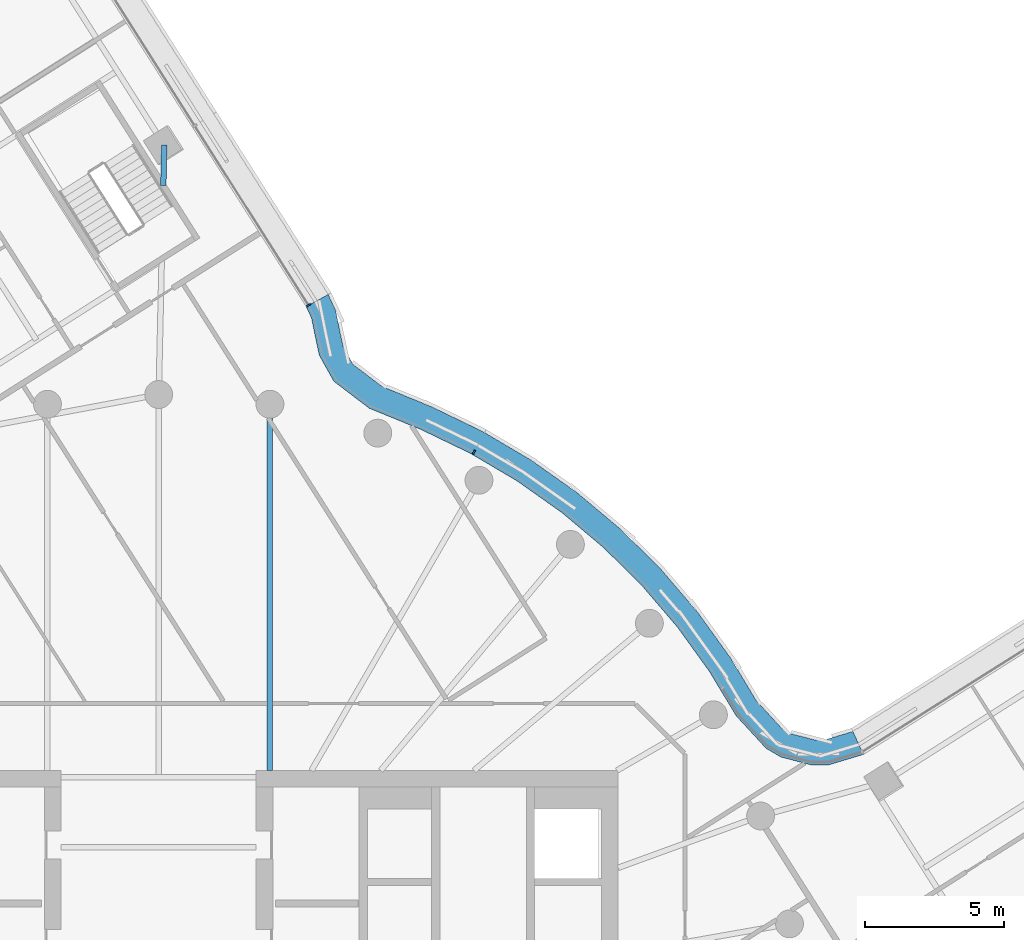
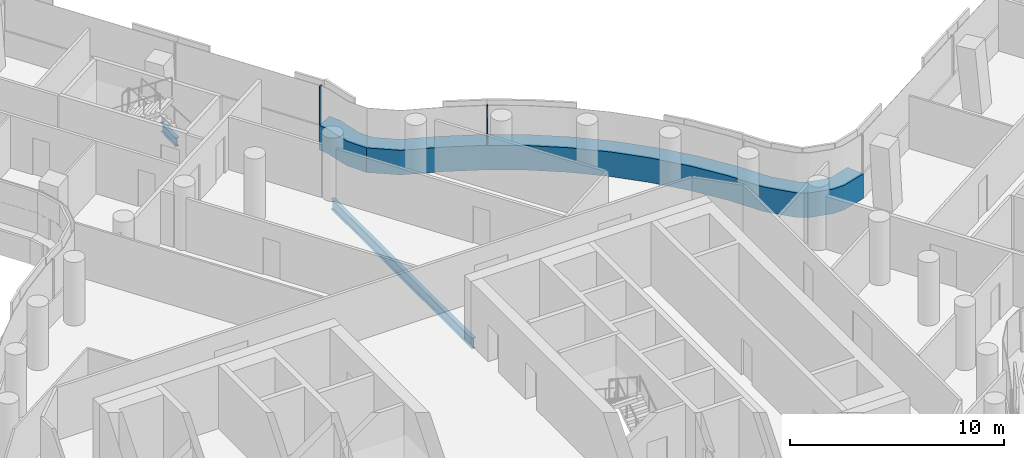
# One storey, part 16 of 36: 3 members, 2 beams, 2 elements without a shape of their own.
"""IFC4 building model written with IfcOpenShell, lengths in metres."""

from ifc_helpers import new_model, si_unit, direction, frame, origin, origin_2d, place, context, subcontext, project, spatial, polyline, rectangle, i_section, outline, extrude, material, layer, layer_set, material_profile, profile_set, type_object, element, aggregate, save


model = new_model("IFC4")

# Units and contexts
model_context = context("Model", 3, precision=1e-05, world=origin(), true_north=direction((0.0, 1.0)))
body_context = subcontext(model_context, "Body", "Model", "MODEL_VIEW")
ifc_project = project(units=[si_unit("LENGTHUNIT", "METRE"), si_unit("AREAUNIT", "SQUARE_METRE"), si_unit("VOLUMEUNIT", "CUBIC_METRE"), si_unit("PLANEANGLEUNIT", "RADIAN"), si_unit("MASSUNIT", "GRAM", prefix="KILO")], contexts=[model_context])

# Site, building, storey
site_placement = place(None, origin())
site = spatial("IfcSite", under=ifc_project, at=site_placement, CompositionType="ELEMENT")
building_placement = place(site_placement, origin())
building = spatial("IfcBuilding", under=site, at=building_placement, Name="Tamarind Cross Interchange Tower", CompositionType="ELEMENT")
storey_placement = place(building_placement, frame((0.0, 0.0, 151.75)))
storey = spatial("IfcBuildingStorey", under=building, at=storey_placement, Name="L37", CompositionType="ELEMENT", Elevation=151.75)

# Beams
ifc_material_1 = material(Name="Steel Q355B", Category="steel")
ifc_material_profile_1 = material_profile(ifc_material_1, i_section(OverallWidth=0.198974609375, OverallDepth=0.49609375, WebThickness=0.009033203125, FlangeThickness=0.013916015625, FilletRadius=0.012939453125, at=origin_2d()), Name="HN 496x199x9x14")
ifc_profile_set_1 = profile_set([ifc_material_profile_1], Name="Steel Q355B")
beam_type_1 = type_object("IfcBeamType", Name="Composite beam HN 496x199x9x14 Q355B", PredefinedType="BEAM", material=ifc_profile_set_1)
beam_1_placement = place(storey_placement, frame((0.198486328125, 31.954833984375, -0.387939453125), z_axis=(-0.022160377353, -0.999754428685, 0.0), x_axis=(0.999754428685, -0.022160377353, 0.0)))
element("IfcBeam", 1, at=beam_1_placement, inside=storey, type_object=beam_type_1, Name="Beam N-linkemt0", PredefinedType="BEAM", context=body_context, shape_type="SweptSolid", body=[
    extrude(i_section(OverallWidth=0.198974609375, OverallDepth=0.49609375, WebThickness=0.009033203125, FlangeThickness=0.013916015625, FilletRadius=0.012939453125, at=origin_2d()), origin(), (0.0, 0.0, 1.0), 1.443115234375),
])
ifc_material_profile_2 = material_profile(ifc_material_1, i_section(OverallWidth=0.198974609375, OverallDepth=0.595947265625, WebThickness=0.010009765625, FlangeThickness=0.014892578125, FilletRadius=0.012939453125, at=origin_2d()), Name="HN 596x199x10x15")
ifc_profile_set_2 = profile_set([ifc_material_profile_2], Name="Steel Q355B")
beam_type_2 = type_object("IfcBeamType", Name="Composite beam HN 596x199x10x15 Q355B", PredefinedType="BEAM", material=ifc_profile_set_2)
beam_2_placement = place(storey_placement, frame((3.993896484375, 22.650634765625, -0.43798828125), z_axis=(0.0, -1.0, 0.0), x_axis=(1.0, 0.0, 0.0)))
element("IfcBeam", 2, at=beam_2_placement, inside=storey, type_object=beam_type_2, Name="Beam HH08", PredefinedType="BEAM", context=body_context, shape_type="SweptSolid", body=[
    extrude(i_section(OverallWidth=0.198974609375, OverallDepth=0.595947265625, WebThickness=0.010009765625, FlangeThickness=0.014892578125, FilletRadius=0.012939453125, at=origin_2d()), origin(), (0.0, 0.0, 1.0), 13.150634765625),
])

# Curtain wall, members
ifc_material_2 = material(Name="Aluminium 6063-T6", Category="aluminium")
ifc_layer = layer(ifc_material_2, 0.159912109375)
ifc_layer_set = layer_set([ifc_layer], Name="Aluminium 6063-T6")
curtain_wall_type = type_object("IfcCurtainWallType", Name="Office curtain wall, 9.0 m bays", PredefinedType="NOTDEFINED", material=ifc_layer_set)
curtain_wall_1_placement = place(storey_placement, origin())
curtain_wall_1 = element("IfcCurtainWall", 3, at=curtain_wall_1_placement, inside=storey, type_object=curtain_wall_type, Name="CWS-L37-14", PredefinedType="NOTDEFINED")
ifc_material_3 = material(Name="Aluminium and insulated spandrel panel", Category="aluminium")
member_type_1 = type_object("IfcMemberType", Name="Floor-edge blade transom", PredefinedType="USERDEFINED", material=ifc_material_3)
member_1_placement = place(storey_placement, origin())
member_1 = element("IfcMember", 4, at=member_1_placement, type_object=member_type_1, Name="CWT-L37-14", ObjectType="TRANSOM", PredefinedType="USERDEFINED", context=body_context, shape_type="SweptSolid", body=[
    extrude(outline(polyline([(25.30517578125, 10.07470703125), (24.06982421875, 9.70361328125), (23.457763671875, 9.692138671875), (22.3427734375, 9.982421875), (21.810302734375, 10.29296875), (20.731201171875, 11.46826171875), (19.78125, 13.04541015625), (18.636474609375, 14.634521484375), (17.3642578125, 16.12353515625), (15.973388671875, 17.50244140625), (14.4736328125, 18.76171875), (12.874755859375, 19.892822265625), (11.188232421875, 20.88818359375), (9.422119140625, 21.741943359375), (7.56005859375, 22.506103515625), (6.28857421875, 23.4736328125), (5.769287109375, 24.40234375), (5.631103515625, 25.041259765625), (5.490966796875, 25.73779296875), (5.294677734375, 26.161376953125), (6.086181640625, 26.59375), (6.352294921875, 26.019775390625), (6.51220703125, 25.22509765625), (6.62060546875, 24.72412109375), (6.982666015625, 24.076416015625), (8.010986328125, 23.293701171875), (9.7890625, 22.564208984375), (11.613525390625, 21.68212890625), (13.3642578125, 20.64892578125), (15.023681640625, 19.474853515625), (16.580810546875, 18.167724609375), (18.0244140625, 16.736572265625), (19.344970703125, 15.19091796875), (20.533203125, 13.54150390625), (21.455322265625, 12.01025390625), (22.38134765625, 11.001708984375), (22.689208984375, 10.822265625), (23.564697265625, 10.59423828125), (23.92919921875, 10.60107421875), (24.928466796875, 10.9013671875), (25.30517578125, 10.07470703125)])), origin(), (0.0, 0.0, 1.0), 1.39990234375),
])
ifc_material_profile_3 = material_profile(ifc_material_2, rectangle(XDim=0.06005859375, YDim=0.159912109375, at=origin_2d()), Name="Mullion CW1")
ifc_profile_set_3 = profile_set([ifc_material_profile_3], Name="Aluminium 6063-T6")
member_type_2 = type_object("IfcMemberType", Name="Mullion CW1", PredefinedType="MULLION", material=ifc_profile_set_3)
member_2_placement = place(storey_placement, frame((11.31884765625, 20.927001953125, 1.39990234375), z_axis=(0.0, 0.0, 1.0), x_axis=(-0.861248933065, 0.508183308752, 0.0)))
member_2 = element("IfcMember", 5, at=member_2_placement, type_object=member_type_2, Name="CWM-L37-14-02", PredefinedType="MULLION", context=body_context, shape_type="SweptSolid", body=[
    extrude(rectangle(XDim=0.06005859375, YDim=0.159912109375, at=origin_2d()), origin(), (0.0, 0.0, 1.0), 2.210205078125),
])
aggregate(curtain_wall_1, [member_2, member_1])

# Curtain wall, member
curtain_wall_2_placement = place(storey_placement, origin())
curtain_wall_2 = element("IfcCurtainWall", 6, at=curtain_wall_2_placement, inside=storey, type_object=curtain_wall_type, Name="CWS-L37-15", PredefinedType="NOTDEFINED")
member_3_placement = place(storey_placement, frame((5.382568359375, 26.20947265625, 1.39990234375), z_axis=(0.0, 0.0, 1.0), x_axis=(-0.479286307451, 0.877658609877, 0.0)))
member_3 = element("IfcMember", 7, at=member_3_placement, type_object=member_type_2, Name="CWM-L37-15-00", PredefinedType="MULLION", context=body_context, shape_type="SweptSolid", body=[
    extrude(rectangle(XDim=0.06005859375, YDim=0.159912109375, at=origin_2d()), origin(), (0.0, 0.0, 1.0), 2.210205078125),
])
aggregate(curtain_wall_2, [member_3])

save(model, "model.ifc")
